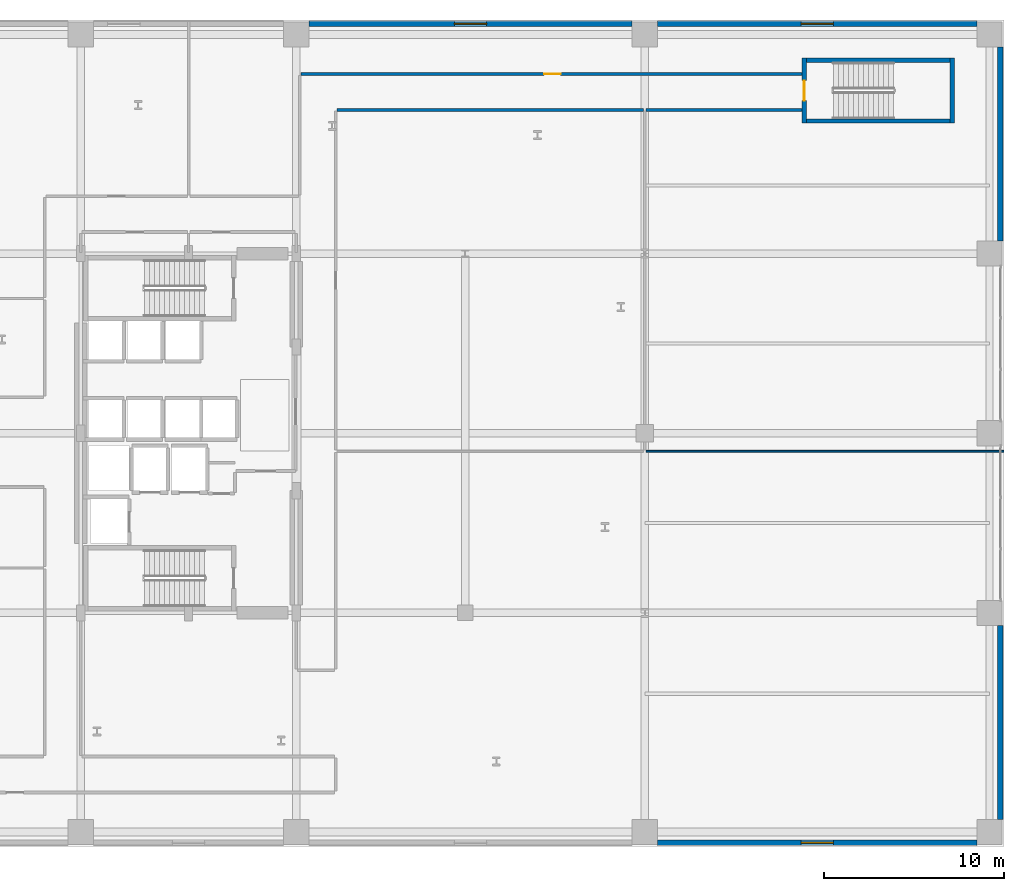
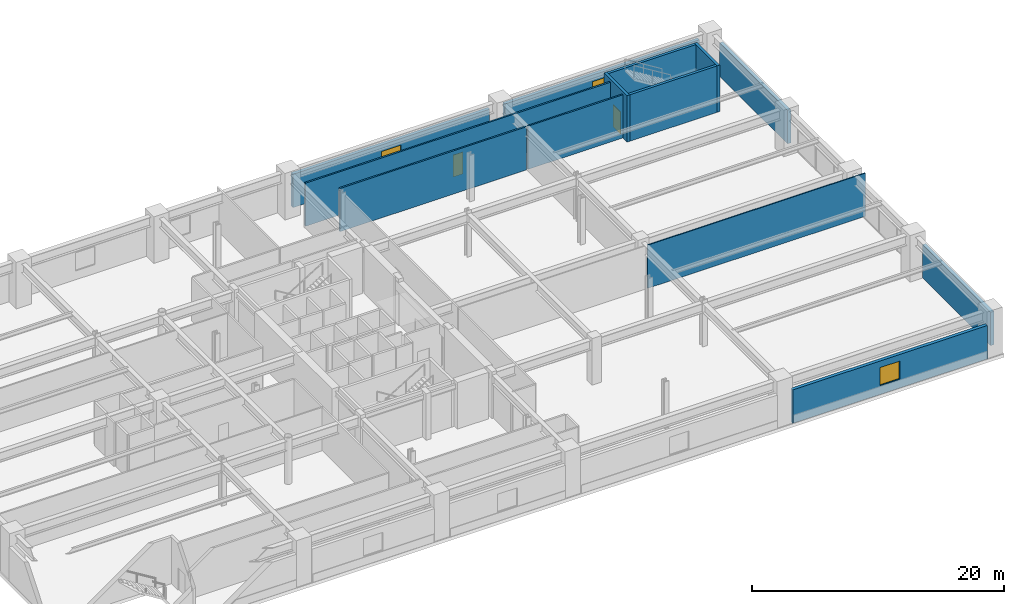
# One storey, part 22 of 28: 13 walls, 3 windows, 2 doors, 5 openings.
"""IFC4 building model written with IfcOpenShell, lengths in metres."""

from ifc_helpers import new_model, si_unit, direction, frame, frame_2d, origin, place, context, subcontext, project, spatial, rectangle, extrude, material, layer, layer_set, type_object, element, fill, save


model = new_model("IFC4")

# Units and contexts
model_context = context("Model", 3, precision=1e-05, world=origin(), true_north=direction((0.0, 1.0)))
body_context = subcontext(model_context, "Body", "Model", "MODEL_VIEW")
ifc_project = project(units=[si_unit("LENGTHUNIT", "METRE"), si_unit("AREAUNIT", "SQUARE_METRE"), si_unit("VOLUMEUNIT", "CUBIC_METRE"), si_unit("PLANEANGLEUNIT", "RADIAN"), si_unit("MASSUNIT", "GRAM", prefix="KILO")], contexts=[model_context])

# Site, building, storey
site_placement = place(None, origin())
site = spatial("IfcSite", under=ifc_project, at=site_placement, CompositionType="ELEMENT")
building_placement = place(site_placement, origin())
building = spatial("IfcBuilding", under=site, at=building_placement, Name="Soratama Intermodal Tower", CompositionType="ELEMENT")
storey_placement = place(building_placement, frame((0.0, 0.0, 20.699951171875)))
storey = spatial("IfcBuildingStorey", under=building, at=storey_placement, Name="L04", CompositionType="ELEMENT", Elevation=20.699951171875)

# Wall, opening, window
ifc_material_1 = material(Name="Concrete f'c 42 MPa", Category="concrete")
ifc_layer_1 = layer(ifc_material_1, 0.300048828125)
ifc_layer_set_1 = layer_set([ifc_layer_1], Name="Concrete f'c 42 MPa")
wall_type_1 = type_object("IfcWallType", Name="EW-STONE-300", PredefinedType="SOLIDWALL", material=ifc_layer_set_1)
wall_1_placement = place(storey_placement, frame((45.300048828125, 47.800048828125, 0.0), z_axis=(0.0, 0.0, 1.0), x_axis=(1.0, 0.0, 0.0)))
wall_1 = element("IfcWall", 1, at=wall_1_placement, inside=storey, type_object=wall_type_1, Name="L04 N Limestone Wall B4", PredefinedType="SOLIDWALL", context=body_context, shape_type="SweptSolid", body=[
    extrude(rectangle(XDim=18.0, YDim=0.300048828125, at=frame_2d((9.0, 0.0))), origin(), (0.0, 0.0, 1.0), 3.236083984375),
])
opening_1_placement = place(wall_1_placement, frame((8.10009765625, 0.0, 0.85009765625)))
opening_1 = element("IfcOpeningElement", 2, at=opening_1_placement, cuts=wall_1, Name="Opening WN-3", PredefinedType="OPENING", context=body_context, shape_type="SweptSolid", body=[
    extrude(rectangle(XDim=1.800048828125, YDim=1.75, at=frame_2d((0.89990234375, 0.875))), frame((0.0, 0.159912109375, 0.0), z_axis=(0.0, -1.0, 0.0), x_axis=(1.0, 0.0, 0.0)), (0.0, 0.0, 1.0), 0.320068359375),
])
ifc_material_2 = material(Name="Double-glazed aluminium window", Category="aluminium")
window_type = type_object("IfcWindowType", Name="WN-POD-1800", PartitioningType="SINGLE_PANEL", PredefinedType="WINDOW", material=ifc_material_2)
window_1_placement = place(opening_1_placement, origin())
window_1 = element("IfcWindow", 3, at=window_1_placement, inside=storey, type_object=window_type, Name="L04 N Window B4", OverallHeight=1.75, OverallWidth=1.800048828125, PartitioningType="SINGLE_PANEL", PredefinedType="WINDOW", context=body_context, shape_type="SweptSolid", body=[
    extrude(rectangle(XDim=1.800048828125, YDim=1.75, at=frame_2d((0.89990234375, 0.875))), frame((0.0, 0.030029296875, 0.0), z_axis=(0.0, -1.0, 0.0), x_axis=(1.0, 0.0, 0.0)), (0.0, 0.0, 1.0), 0.06005859375),
])
fill(opening_1, window_1)

wall_2_placement = place(storey_placement, frame((64.699951171875, 47.800048828125, 0.0), z_axis=(0.0, 0.0, 1.0), x_axis=(1.0, 0.0, 0.0)))
wall_2 = element("IfcWall", 4, at=wall_2_placement, inside=storey, type_object=wall_type_1, Name="L04 N Limestone Wall B5", PredefinedType="SOLIDWALL", context=body_context, shape_type="SweptSolid", body=[
    extrude(rectangle(XDim=17.800048828125, YDim=0.300048828125, at=frame_2d((8.89990234375, 0.0))), origin(), (0.0, 0.0, 1.0), 3.236083984375),
])
opening_2_placement = place(wall_2_placement, frame((8.0, 0.0, 0.85009765625)))
opening_2 = element("IfcOpeningElement", 5, at=opening_2_placement, cuts=wall_2, Name="Opening WN-3", PredefinedType="OPENING", context=body_context, shape_type="SweptSolid", body=[
    extrude(rectangle(XDim=1.800048828125, YDim=1.75, at=frame_2d((0.89990234375, 0.875))), frame((0.0, 0.159912109375, 0.0), z_axis=(0.0, -1.0, 0.0), x_axis=(1.0, 0.0, 0.0)), (0.0, 0.0, 1.0), 0.320068359375),
])
window_2_placement = place(opening_2_placement, origin())
window_2 = element("IfcWindow", 6, at=window_2_placement, inside=storey, type_object=window_type, Name="L04 N Window B5", OverallHeight=1.75, OverallWidth=1.800048828125, PartitioningType="SINGLE_PANEL", PredefinedType="WINDOW", context=body_context, shape_type="SweptSolid", body=[
    extrude(rectangle(XDim=1.800048828125, YDim=1.75, at=frame_2d((0.89990234375, 0.875))), frame((0.0, 0.030029296875, 0.0), z_axis=(0.0, -1.0, 0.0), x_axis=(1.0, 0.0, 0.0)), (0.0, 0.0, 1.0), 0.06005859375),
])
fill(opening_2, window_2)

wall_3_placement = place(storey_placement, frame((82.5, 2.199951171875, 0.0), z_axis=(0.0, 0.0, 1.0), x_axis=(-1.0, 0.0, 0.0)))
wall_3 = element("IfcWall", 7, at=wall_3_placement, inside=storey, type_object=wall_type_1, Name="L04 S Limestone Wall B5", PredefinedType="SOLIDWALL", context=body_context, shape_type="SweptSolid", body=[
    extrude(rectangle(XDim=17.800048828125, YDim=0.300048828125, at=frame_2d((8.89990234375, 0.0))), origin(), (0.0, 0.0, 1.0), 3.236083984375),
])
opening_3_placement = place(wall_3_placement, frame((8.0, 0.0, 0.85009765625)))
opening_3 = element("IfcOpeningElement", 8, at=opening_3_placement, cuts=wall_3, Name="Opening WN-3", PredefinedType="OPENING", context=body_context, shape_type="SweptSolid", body=[
    extrude(rectangle(XDim=1.800048828125, YDim=1.75, at=frame_2d((0.89990234375, 0.875))), frame((0.0, 0.159912109375, 0.0), z_axis=(0.0, -1.0, 0.0), x_axis=(1.0, 0.0, 0.0)), (0.0, 0.0, 1.0), 0.320068359375),
])
window_3_placement = place(opening_3_placement, origin())
window_3 = element("IfcWindow", 9, at=window_3_placement, inside=storey, type_object=window_type, Name="L04 S Window B5", OverallHeight=1.75, OverallWidth=1.800048828125, PartitioningType="SINGLE_PANEL", PredefinedType="WINDOW", context=body_context, shape_type="SweptSolid", body=[
    extrude(rectangle(XDim=1.800048828125, YDim=1.75, at=frame_2d((0.89990234375, 0.875))), frame((0.0, 0.030029296875, 0.0), z_axis=(0.0, -1.0, 0.0), x_axis=(1.0, 0.0, 0.0)), (0.0, 0.0, 1.0), 0.06005859375),
])
fill(opening_3, window_3)

# Walls
for number, where, z_axis, x_axis, name in (
    (10, (83.800048828125, 14.300048828125, 0.0), (0.0, 0.0, 1.0), (0.0, -1.0, 0.0), "L04 Perimeter Wall ES"),
    (11, (83.800048828125, 46.5, 0.0), (0.0, 0.0, 1.0), (0.0, -1.0, 0.0), "L04 Perimeter Wall EN"),
):
    element("IfcWall", number, at=place(storey_placement, frame(where, z_axis=z_axis, x_axis=x_axis)), inside=storey, type_object=wall_type_1, Name=name, PredefinedType="SOLIDWALL", context=body_context, shape_type="SweptSolid", body=[
        extrude(rectangle(XDim=10.800048828125, YDim=0.300048828125, at=frame_2d((5.39990234375, 0.0))), origin(), (0.0, 0.0, 1.0), 3.236083984375),
    ])

# Wall, opening, door
ifc_material_3 = material(Name="Fire-rated gypsum stud partition", Category="concrete")
ifc_layer_2 = layer(ifc_material_3, 0.14990234375)
ifc_layer_set_2 = layer_set([ifc_layer_2], Name="Fire-rated gypsum stud partition")
wall_type_2 = type_object("IfcWallType", Name="IW-PART-R150", PredefinedType="PARTITIONING", material=ifc_layer_set_2)
wall_4_placement = place(storey_placement, frame((44.8701171875, 45.0, 0.0), z_axis=(0.0, 0.0, 1.0), x_axis=(1.0, 0.0, 0.0)))
wall_4 = element("IfcWall", 12, at=wall_4_placement, inside=storey, type_object=wall_type_2, Name="L04 Partition W-L04-TP004", PredefinedType="PARTITIONING", context=body_context, shape_type="SweptSolid", body=[
    extrude(rectangle(XDim=28.009765625, YDim=0.14990234375, at=frame_2d((14.0048828125, 0.0))), origin(), (0.0, 0.0, 1.0), 4.179931640625),
])
opening_4_placement = place(wall_4_placement, frame((13.530029296875, 0.0, 0.0)))
opening_4 = element("IfcOpeningElement", 13, at=opening_4_placement, cuts=wall_4, Name="Opening ID-6", PredefinedType="OPENING", context=body_context, shape_type="SweptSolid", body=[
    extrude(rectangle(XDim=0.919921875, YDim=2.1201171875, at=frame_2d((0.4599609375, 1.06005859375))), frame((0.0, 0.0849609375, 0.0), z_axis=(0.0, -1.0, 0.0), x_axis=(1.0, 0.0, 0.0)), (0.0, 0.0, 1.0), 0.169921875),
])
ifc_material_4 = material(Name="Solid hardwood acoustic door", Category="wood")
door_type_1 = type_object("IfcDoorType", Name="DR-ROOM-920", OperationType="NOTDEFINED", PredefinedType="DOOR", material=ifc_material_4)
door_1_placement = place(opening_4_placement, origin())
door_1 = element("IfcDoor", 14, at=door_1_placement, inside=storey, type_object=door_type_1, Name="L04 Door D-L04-TP002", OperationType="SINGLE_SWING_LEFT", OverallHeight=2.1201171875, OverallWidth=0.919921875, PredefinedType="DOOR", context=body_context, shape_type="SweptSolid", body=[
    extrude(rectangle(XDim=0.919921875, YDim=2.1201171875, at=frame_2d((0.4599609375, 1.06005859375))), frame((0.0, 0.02490234375, 0.0), z_axis=(0.0, -1.0, 0.0), x_axis=(1.0, 0.0, 0.0)), (0.0, 0.0, 1.0), 0.050048828125),
])
fill(opening_4, door_1)

# Walls
wall_5_placement = place(storey_placement, frame((63.929931640625, 43.0, 0.0), z_axis=(0.0, 0.0, 1.0), x_axis=(-1.0, 0.0, 0.0)))
element("IfcWall", 15, at=wall_5_placement, inside=storey, type_object=wall_type_2, Name="L04 Partition W-L04-TP009", PredefinedType="PARTITIONING", context=body_context, shape_type="SweptSolid", body=[
    extrude(rectangle(XDim=17.059814453125, YDim=0.14990234375, at=frame_2d((8.52978515625, 0.0))), origin(), (0.0, 0.0, 1.0), 4.179931640625),
])
wall_6_placement = place(storey_placement, frame((72.8798828125, 43.0, 0.0), z_axis=(0.0, 0.0, 1.0), x_axis=(-1.0, 0.0, 0.0)))
element("IfcWall", 16, at=wall_6_placement, inside=storey, type_object=wall_type_2, Name="L04 Partition W-L04-TP017", PredefinedType="PARTITIONING", context=body_context, shape_type="SweptSolid", body=[
    extrude(rectangle(XDim=8.809814453125, YDim=0.14990234375, at=frame_2d((4.40478515625, 0.0))), origin(), (0.0, 0.0, 1.0), 4.179931640625),
])
ifc_material_5 = material(Name="Fire-rated gypsum stud partition", Category="concrete")
ifc_layer_3 = layer(ifc_material_5, 0.10009765625)
ifc_layer_set_3 = layer_set([ifc_layer_3], Name="Fire-rated gypsum stud partition")
wall_type_3 = type_object("IfcWallType", Name="IW-PART-S100", PredefinedType="PARTITIONING", material=ifc_layer_set_3)
wall_7_placement = place(storey_placement, frame((64.070068359375, 24.0, 0.0), z_axis=(0.0, 0.0, 1.0), x_axis=(1.0, 0.0, 0.0)))
element("IfcWall", 17, at=wall_7_placement, inside=storey, type_object=wall_type_3, Name="L04 Partition W-L04-TP005", PredefinedType="PARTITIONING", context=body_context, shape_type="SweptSolid", body=[
    extrude(rectangle(XDim=19.929931640625, YDim=0.10009765625, at=frame_2d((9.96484375, 0.0))), origin(), (0.0, 0.0, 1.0), 4.179931640625),
])

# Wall, opening, door
ifc_material_6 = material(Name="Concrete f'c 56 MPa", Category="concrete")
ifc_layer_4 = layer(ifc_material_6, 0.239990234375)
ifc_layer_set_4 = layer_set([ifc_layer_4], Name="Concrete f'c 56 MPa")
wall_type_4 = type_object("IfcWallType", Name="SW-STAIR-240", PredefinedType="SHEAR", material=ifc_layer_set_4)
wall_8_placement = place(storey_placement, frame((72.8798828125, 42.260009765625, 0.0), z_axis=(0.0, 0.0, 1.0), x_axis=(0.0, 1.0, 0.0)))
wall_8 = element("IfcWall", 18, at=wall_8_placement, inside=storey, type_object=wall_type_4, Name="L04 ST-4 Shaft Shear Wall W", PredefinedType="SHEAR", context=body_context, shape_type="SweptSolid", body=[
    extrude(rectangle(XDim=3.6298828125, YDim=0.239990234375, at=frame_2d((1.81494140625, 0.0))), origin(), (0.0, 0.0, 1.0), 4.5),
])
opening_5_placement = place(wall_8_placement, frame((1.2548828125, 0.0, 0.0)))
opening_5 = element("IfcOpeningElement", 19, at=opening_5_placement, cuts=wall_8, Name="Opening SD-1", PredefinedType="OPENING", context=body_context, shape_type="SweptSolid", body=[
    extrude(rectangle(XDim=1.1201171875, YDim=2.14990234375, at=frame_2d((0.56005859375, 1.074951171875))), frame((0.0, 0.1298828125, 0.0), z_axis=(0.0, -1.0, 0.0), x_axis=(1.0, 0.0, 0.0)), (0.0, 0.0, 1.0), 0.260009765625),
])
ifc_material_7 = material(Name="Steel fire door", Category="steel")
door_type_2 = type_object("IfcDoorType", Name="DR-STAIR-FD90", OperationType="NOTDEFINED", PredefinedType="DOOR", material=ifc_material_7)
door_2_placement = place(opening_5_placement, origin())
door_2 = element("IfcDoor", 20, at=door_2_placement, inside=storey, type_object=door_type_2, Name="L04 ST-4 Exit Stair Door", OperationType="SINGLE_SWING_RIGHT", OverallHeight=2.14990234375, OverallWidth=1.1201171875, PredefinedType="DOOR", context=body_context, shape_type="SweptSolid", body=[
    extrude(rectangle(XDim=1.1201171875, YDim=2.14990234375, at=frame_2d((0.56005859375, 1.074951171875))), frame((0.0, 0.02490234375, 0.0), z_axis=(0.0, -1.0, 0.0), x_axis=(1.0, 0.0, 0.0)), (0.0, 0.0, 1.0), 0.050048828125),
])
fill(opening_5, door_2)

# Walls
wall_9_placement = place(storey_placement, frame((81.1201171875, 42.260009765625, 0.0), z_axis=(0.0, 0.0, 1.0), x_axis=(0.0, 1.0, 0.0)))
element("IfcWall", 21, at=wall_9_placement, inside=storey, type_object=wall_type_4, Name="L04 ST-4 Shaft Shear Wall E", PredefinedType="SHEAR", context=body_context, shape_type="SweptSolid", body=[
    extrude(rectangle(XDim=3.6298828125, YDim=0.239990234375, at=frame_2d((1.81494140625, 0.0))), origin(), (0.0, 0.0, 1.0), 4.5),
])
for number, where, z_axis, x_axis, name in (
    (22, (73.0, 42.3798828125, 0.0), (0.0, 0.0, 1.0), (1.0, 0.0, 0.0), "L04 ST-4 Shaft Shear Wall S"),
    (23, (73.0, 45.77001953125, 0.0), (0.0, 0.0, 1.0), (1.0, 0.0, 0.0), "L04 ST-4 Shaft Shear Wall N"),
):
    element("IfcWall", number, at=place(storey_placement, frame(where, z_axis=z_axis, x_axis=x_axis)), inside=storey, type_object=wall_type_4, Name=name, PredefinedType="SHEAR", context=body_context, shape_type="SweptSolid", body=[
        extrude(rectangle(XDim=8.0, YDim=0.239990234375, at=frame_2d((4.0, 0.0))), origin(), (0.0, 0.0, 1.0), 4.5),
    ])

save(model, "model.ifc")
